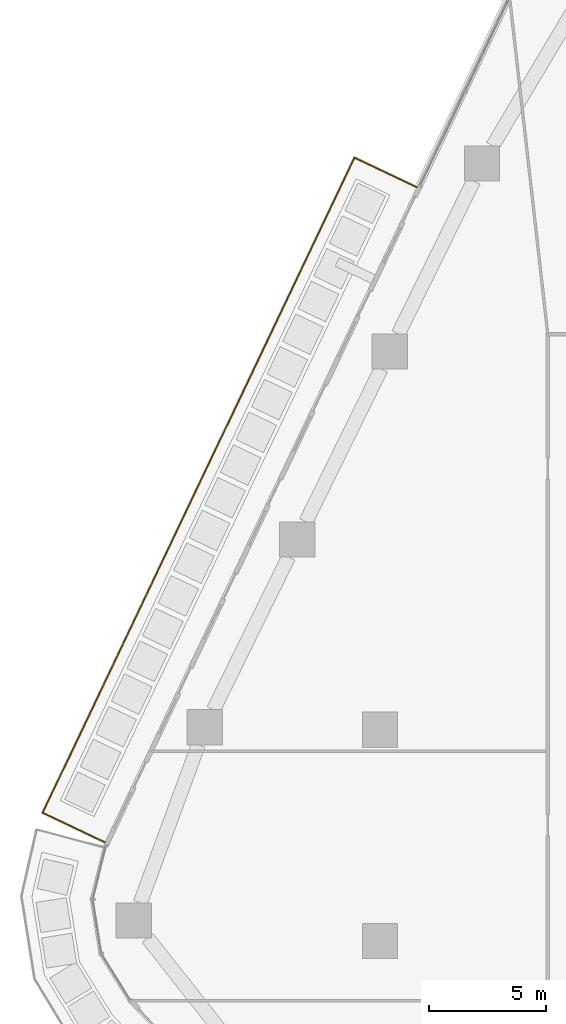
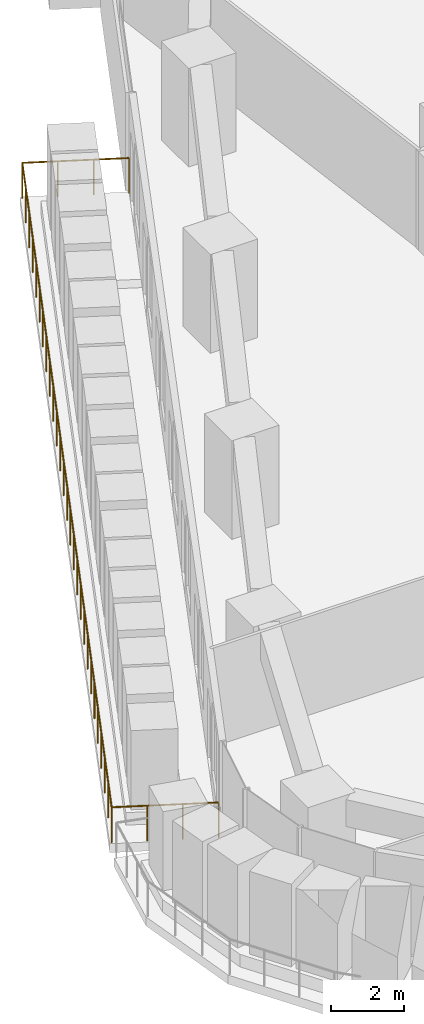
# One storey, part 21 of 24: 1 railing.
"""IFC4 building model written with IfcOpenShell, lengths in metres."""

from ifc_helpers import new_model, si_unit, direction, frame, origin, origin_2d, place, context, subcontext, project, spatial, circle, extrude, material, type_object, element, save


model = new_model("IFC4")

# Units and contexts
model_context = context("Model", 3, precision=1e-05, world=origin(), true_north=direction((0.0, 1.0)))
body_context = subcontext(model_context, "Body", "Model", "MODEL_VIEW")
ifc_project = project(units=[si_unit("LENGTHUNIT", "METRE"), si_unit("AREAUNIT", "SQUARE_METRE"), si_unit("VOLUMEUNIT", "CUBIC_METRE"), si_unit("PLANEANGLEUNIT", "RADIAN"), si_unit("MASSUNIT", "GRAM", prefix="KILO")], contexts=[model_context])

# Site, building, storey
site_placement = place(None, origin())
site = spatial("IfcSite", under=ifc_project, at=site_placement, CompositionType="ELEMENT")
building_placement = place(site_placement, origin())
building = spatial("IfcBuilding", under=site, at=building_placement, Name="Dongbaek Canopy Tower", CompositionType="ELEMENT")
storey_placement = place(building_placement, frame((0.0, 0.0, 44.0)))
storey = spatial("IfcBuildingStorey", under=building, at=storey_placement, Name="L06", CompositionType="ELEMENT", Elevation=44.0)

# Railing
ifc_material = material(Name="Stainless steel", Category="steel")
railing_type = type_object("IfcRailingType", Name="Balcony balustrade 1200", PredefinedType="BALUSTRADE", material=ifc_material)
railing_placement = place(storey_placement, frame((-25.43212890625, 23.11181640625, 0.0)))
element("IfcRailing", 1, at=railing_placement, inside=storey, type_object=railing_type, Name="Balcony guard L06 2", PredefinedType="BALUSTRADE", context=body_context, shape_type="SweptSolid", body=[
    extrude(circle(Radius=0.02392578125, at=origin_2d()), frame((0.0, 0.0, 1.17578125), z_axis=(-0.902960263464, 0.429724054021, 0.0), x_axis=(-0.429724054021, -0.902960263464, 0.0)), (0.0, 0.0, 1.0), 2.940185546875),
    extrude(circle(Radius=0.02392578125, at=origin_2d()), frame((-2.65478515625, 1.263427734375, 1.17578125), z_axis=(-0.42978763548, -0.902930001932, 0.0), x_axis=(0.902930001932, -0.42978763548, 0.0)), (0.0, 0.0, 1.0), 30.909912109375),
    extrude(circle(Radius=0.02392578125, at=origin_2d()), frame((-15.939453125, -26.64599609375, 1.17578125), z_axis=(0.902912701058, -0.429823980564, 0.0), x_axis=(0.429823980564, 0.902912701058, 0.0)), (0.0, 0.0, 1.0), 2.93994140625),
    extrude(circle(Radius=0.02099609375, at=origin_2d()), origin(), (0.0, 0.0, 1.0), 1.15185546875),
    extrude(circle(Radius=0.02099609375, at=origin_2d()), frame((-0.885009765625, 0.421142578125, 0.0)), (0.0, 0.0, 1.0), 1.15185546875),
    extrude(circle(Radius=0.02099609375, at=origin_2d()), frame((-1.769775390625, 0.84228515625, 0.0)), (0.0, 0.0, 1.0), 1.15185546875),
    extrude(circle(Radius=0.02099609375, at=origin_2d()), frame((-2.65478515625, 1.263427734375, 0.0)), (0.0, 0.0, 1.0), 1.15185546875),
    extrude(circle(Radius=0.02099609375, at=origin_2d()), frame((-3.165771484375, 0.18994140625, 0.0)), (0.0, 0.0, 1.0), 1.15185546875),
    extrude(circle(Radius=0.02099609375, at=origin_2d()), frame((-3.6767578125, -0.883544921875, 0.0)), (0.0, 0.0, 1.0), 1.15185546875),
    extrude(circle(Radius=0.02099609375, at=origin_2d()), frame((-4.187744140625, -1.956787109375, 0.0)), (0.0, 0.0, 1.0), 1.15185546875),
    extrude(circle(Radius=0.02099609375, at=origin_2d()), frame((-4.698486328125, -3.0302734375, 0.0)), (0.0, 0.0, 1.0), 1.15185546875),
    extrude(circle(Radius=0.02099609375, at=origin_2d()), frame((-5.20947265625, -4.103759765625, 0.0)), (0.0, 0.0, 1.0), 1.15185546875),
    extrude(circle(Radius=0.02099609375, at=origin_2d()), frame((-5.720458984375, -5.17724609375, 0.0)), (0.0, 0.0, 1.0), 1.15185546875),
    extrude(circle(Radius=0.02099609375, at=origin_2d()), frame((-6.2314453125, -6.250732421875, 0.0)), (0.0, 0.0, 1.0), 1.15185546875),
    extrude(circle(Radius=0.02099609375, at=origin_2d()), frame((-6.742431640625, -7.323974609375, 0.0)), (0.0, 0.0, 1.0), 1.15185546875),
    extrude(circle(Radius=0.02099609375, at=origin_2d()), frame((-7.25341796875, -8.3974609375, 0.0)), (0.0, 0.0, 1.0), 1.15185546875),
    extrude(circle(Radius=0.02099609375, at=origin_2d()), frame((-7.76416015625, -9.470947265625, 0.0)), (0.0, 0.0, 1.0), 1.15185546875),
    extrude(circle(Radius=0.02099609375, at=origin_2d()), frame((-8.275146484375, -10.54443359375, 0.0)), (0.0, 0.0, 1.0), 1.15185546875),
    extrude(circle(Radius=0.02099609375, at=origin_2d()), frame((-8.7861328125, -11.617919921875, 0.0)), (0.0, 0.0, 1.0), 1.15185546875),
    extrude(circle(Radius=0.02099609375, at=origin_2d()), frame((-9.297119140625, -12.69140625, 0.0)), (0.0, 0.0, 1.0), 1.15185546875),
    extrude(circle(Radius=0.02099609375, at=origin_2d()), frame((-9.80810546875, -13.7646484375, 0.0)), (0.0, 0.0, 1.0), 1.15185546875),
    extrude(circle(Radius=0.02099609375, at=origin_2d()), frame((-10.319091796875, -14.838134765625, 0.0)), (0.0, 0.0, 1.0), 1.15185546875),
    extrude(circle(Radius=0.02099609375, at=origin_2d()), frame((-10.830078125, -15.91162109375, 0.0)), (0.0, 0.0, 1.0), 1.15185546875),
    extrude(circle(Radius=0.02099609375, at=origin_2d()), frame((-11.3408203125, -16.985107421875, 0.0)), (0.0, 0.0, 1.0), 1.15185546875),
    extrude(circle(Radius=0.02099609375, at=origin_2d()), frame((-11.851806640625, -18.05859375, 0.0)), (0.0, 0.0, 1.0), 1.15185546875),
    extrude(circle(Radius=0.02099609375, at=origin_2d()), frame((-12.36279296875, -19.1318359375, 0.0)), (0.0, 0.0, 1.0), 1.15185546875),
    extrude(circle(Radius=0.02099609375, at=origin_2d()), frame((-12.873779296875, -20.205322265625, 0.0)), (0.0, 0.0, 1.0), 1.15185546875),
    extrude(circle(Radius=0.02099609375, at=origin_2d()), frame((-13.384765625, -21.27880859375, 0.0)), (0.0, 0.0, 1.0), 1.15185546875),
    extrude(circle(Radius=0.02099609375, at=origin_2d()), frame((-13.895751953125, -22.352294921875, 0.0)), (0.0, 0.0, 1.0), 1.15185546875),
    extrude(circle(Radius=0.02099609375, at=origin_2d()), frame((-14.406494140625, -23.42578125, 0.0)), (0.0, 0.0, 1.0), 1.15185546875),
    extrude(circle(Radius=0.02099609375, at=origin_2d()), frame((-14.91748046875, -24.4990234375, 0.0)), (0.0, 0.0, 1.0), 1.15185546875),
    extrude(circle(Radius=0.02099609375, at=origin_2d()), frame((-15.428466796875, -25.572509765625, 0.0)), (0.0, 0.0, 1.0), 1.15185546875),
    extrude(circle(Radius=0.02099609375, at=origin_2d()), frame((-15.939453125, -26.64599609375, 0.0)), (0.0, 0.0, 1.0), 1.15185546875),
    extrude(circle(Radius=0.02099609375, at=origin_2d()), frame((-15.0546875, -27.067138671875, 0.0)), (0.0, 0.0, 1.0), 1.15185546875),
    extrude(circle(Radius=0.02099609375, at=origin_2d()), frame((-14.169677734375, -27.488525390625, 0.0)), (0.0, 0.0, 1.0), 1.15185546875),
    extrude(circle(Radius=0.02099609375, at=origin_2d()), frame((-13.284912109375, -27.90966796875, 0.0)), (0.0, 0.0, 1.0), 1.15185546875),
])

save(model, "model.ifc")
